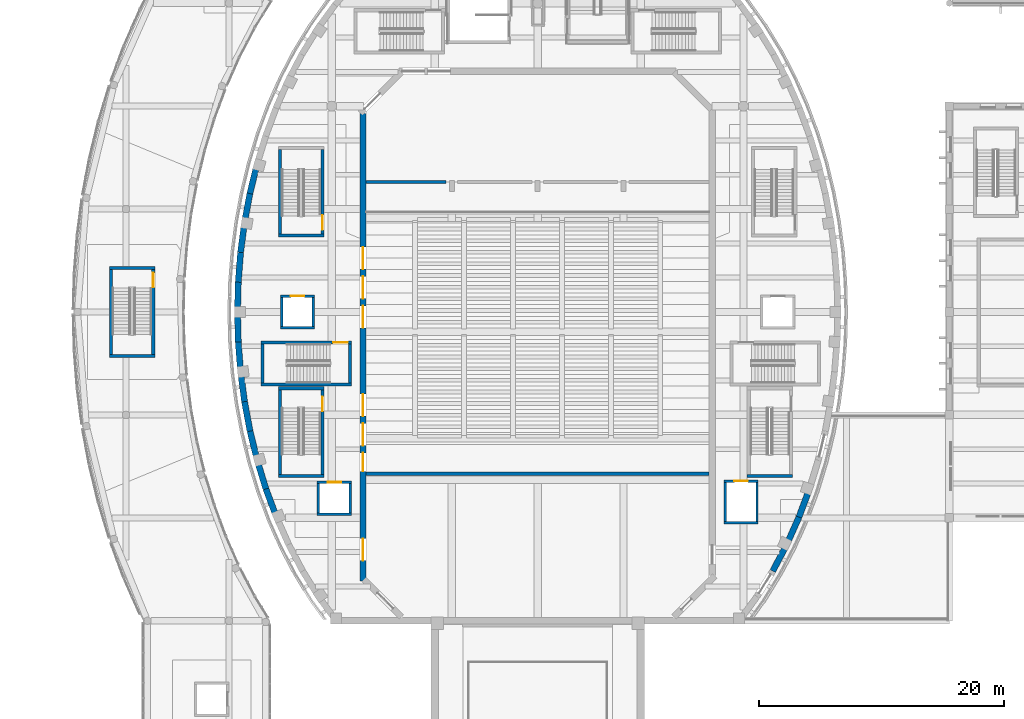
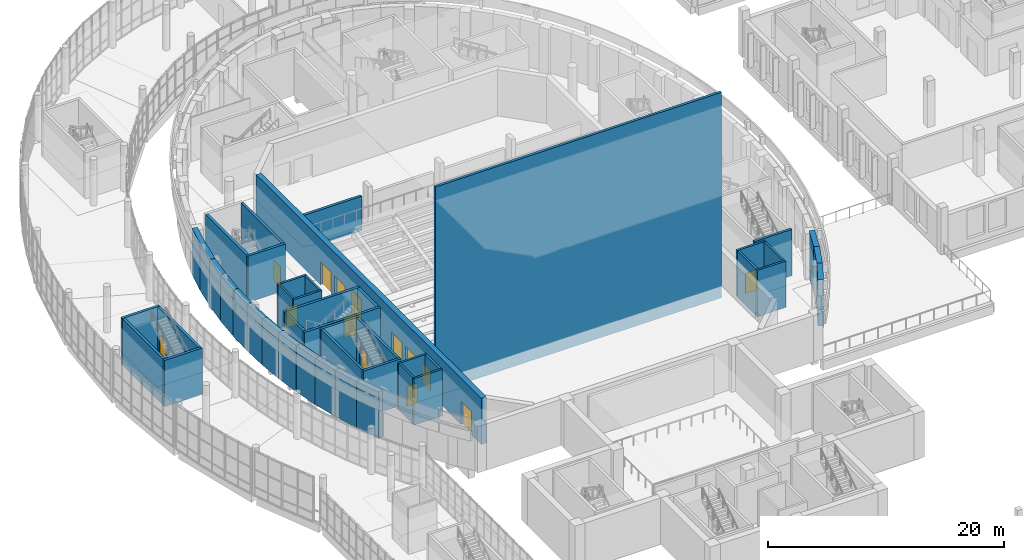
# One storey, part 66 of 119: 46 walls, 14 doors, 14 openings.
"""IFC4 building model written with IfcOpenShell, lengths in metres."""

from ifc_helpers import new_model, si_unit, direction, frame, frame_2d, origin, place, context, subcontext, project, spatial, rectangle, extrude, material, layer, layer_set, type_object, element, fill, save


model = new_model("IFC4")

# Units and contexts
model_context = context("Model", 3, precision=1e-05, world=origin(), true_north=direction((0.0, 1.0)))
body_context = subcontext(model_context, "Body", "Model", "MODEL_VIEW")
ifc_project = project(units=[si_unit("LENGTHUNIT", "METRE"), si_unit("AREAUNIT", "SQUARE_METRE"), si_unit("VOLUMEUNIT", "CUBIC_METRE"), si_unit("PLANEANGLEUNIT", "RADIAN"), si_unit("MASSUNIT", "GRAM", prefix="KILO")], contexts=[model_context])

# Site, building, storey
site_placement = place(None, origin())
site = spatial("IfcSite", under=ifc_project, at=site_placement, CompositionType="ELEMENT")
building_placement = place(site_placement, origin())
building = spatial("IfcBuilding", under=site, at=building_placement, Name="Larchfold Concert Hall", CompositionType="ELEMENT")
storey_placement = place(building_placement, frame((0.0, 0.0, 4.800048828125)))
storey = spatial("IfcBuildingStorey", under=building, at=storey_placement, Name="L01", CompositionType="ELEMENT", Elevation=4.800048828125)

# Walls
ifc_material_1 = material(Name="Plasterboard partition on steel studs", Category="steel")
ifc_layer_1 = layer(ifc_material_1, 0.25)
ifc_layer_set_1 = layer_set([ifc_layer_1], Name="Plasterboard partition on steel studs")
wall_type_1 = type_object("IfcWallType", Name="Hall acoustic double-leaf partition 250", PredefinedType="PARTITIONING", material=ifc_layer_set_1)
wall_1_placement = place(storey_placement, frame((28.60009765625, 71.39990234375, 0.0), z_axis=(0.0, 0.0, 1.0), x_axis=(1.0, 0.0, 0.0)))
element("IfcWall", 1, at=wall_1_placement, inside=storey, type_object=wall_type_1, Name="Partition IW0001", PredefinedType="PARTITIONING", context=body_context, shape_type="SweptSolid", body=[
    extrude(rectangle(XDim=28.0, YDim=0.25, at=frame_2d((14.0, 0.0))), origin(), (0.0, 0.0, 1.0), 21.25),
])
wall_2_placement = place(storey_placement, frame((28.60009765625, 95.199951171875, 0.0), z_axis=(0.0, 0.0, 1.0), x_axis=(1.0, 0.0, 0.0)))
element("IfcWall", 2, at=wall_2_placement, inside=storey, type_object=wall_type_1, Name="Partition IW0002", PredefinedType="PARTITIONING", context=body_context, shape_type="SweptSolid", body=[
    extrude(rectangle(XDim=6.530029296875, YDim=0.25, at=frame_2d((3.26513671875, 0.0))), origin(), (0.0, 0.0, 1.0), 3.579833984375),
])
ifc_material_2 = material(Name="Concrete C40/50", Category="concrete")
ifc_layer_2 = layer(ifc_material_2, 0.199951171875)
ifc_layer_set_2 = layer_set([ifc_layer_2], Name="Concrete C40/50")
wall_type_2 = type_object("IfcWallType", Name="Wall RC 200 lift shaft", PredefinedType="SOLIDWALL", material=ifc_layer_set_2)
wall_3_placement = place(storey_placement, frame((57.800048828125, 67.400146484375, 0.0), z_axis=(0.0, 0.0, 1.0), x_axis=(1.0, 0.0, 0.0)))
element("IfcWall", 3, at=wall_3_placement, inside=storey, type_object=wall_type_2, Name="Wall W0144", PredefinedType="SOLIDWALL", context=body_context, shape_type="SweptSolid", body=[
    extrude(rectangle(XDim=2.800048828125, YDim=0.199951171875, at=frame_2d((1.39990234375, 0.0))), origin(), (0.0, 0.0, 1.0), 4.800048828125),
])

# Wall, opening, door
wall_4_placement = place(storey_placement, frame((57.800048828125, 70.7998046875, 0.0), z_axis=(0.0, 0.0, 1.0), x_axis=(1.0, 0.0, 0.0)))
wall_4 = element("IfcWall", 4, at=wall_4_placement, inside=storey, type_object=wall_type_2, Name="Wall W0145", PredefinedType="SOLIDWALL", context=body_context, shape_type="SweptSolid", body=[
    extrude(rectangle(XDim=2.800048828125, YDim=0.199951171875, at=frame_2d((1.39990234375, 0.0))), origin(), (0.0, 0.0, 1.0), 4.800048828125),
])
opening_1_placement = place(wall_4_placement, frame((0.85009765625, 0.0, 0.0)))
opening_1 = element("IfcOpeningElement", 5, at=opening_1_placement, cuts=wall_4, Name="Opening LD-LF01", PredefinedType="OPENING", context=body_context, shape_type="SweptSolid", body=[
    extrude(rectangle(XDim=1.10009765625, YDim=2.10009765625, at=frame_2d((0.550048828125, 1.050048828125))), frame((0.0, 0.10986328125, 0.0), z_axis=(0.0, -1.0, 0.0), x_axis=(1.0, 0.0, 0.0)), (0.0, 0.0, 1.0), 0.219970703125),
])
ifc_material_3 = material(Name="Stainless steel sliding leaves", Category="steel")
door_type_1 = type_object("IfcDoorType", Name="Lift landing door sliding 1100 x 2100", OperationType="SLIDING_TO_LEFT", PredefinedType="DOOR", material=ifc_material_3)
door_1_placement = place(opening_1_placement, origin())
door_1 = element("IfcDoor", 6, at=door_1_placement, inside=storey, type_object=door_type_1, Name="Lift landing door LF01", OperationType="SLIDING_TO_LEFT", OverallHeight=2.10009765625, OverallWidth=1.10009765625, PredefinedType="DOOR", context=body_context, shape_type="SweptSolid", body=[
    extrude(rectangle(XDim=1.10009765625, YDim=2.10009765625, at=frame_2d((0.550048828125, 1.050048828125))), frame((0.0, 0.02490234375, 0.0), z_axis=(0.0, -1.0, 0.0), x_axis=(1.0, 0.0, 0.0)), (0.0, 0.0, 1.0), 0.050048828125),
])
fill(opening_1, door_1)

# Walls
for number, where, z_axis, x_axis, name in (
    (7, (57.900146484375, 67.5, 0.0), (0.0, 0.0, 1.0), (0.0, 1.0, 0.0), "Wall W0146"),
    (8, (60.5, 67.5, 0.0), (0.0, 0.0, 1.0), (0.0, 1.0, 0.0), "Wall W0147"),
):
    element("IfcWall", number, at=place(storey_placement, frame(where, z_axis=z_axis, x_axis=x_axis)), inside=storey, type_object=wall_type_2, Name=name, PredefinedType="SOLIDWALL", context=body_context, shape_type="SweptSolid", body=[
        extrude(rectangle(XDim=3.199951171875, YDim=0.199951171875, at=frame_2d((1.60009765625, 0.0))), origin(), (0.0, 0.0, 1.0), 4.800048828125),
    ])
wall_5_placement = place(storey_placement, frame((24.60009765625, 68.10009765625, 0.0), z_axis=(0.0, 0.0, 1.0), x_axis=(1.0, 0.0, 0.0)))
element("IfcWall", 9, at=wall_5_placement, inside=storey, type_object=wall_type_2, Name="Wall W0148", PredefinedType="SOLIDWALL", context=body_context, shape_type="SweptSolid", body=[
    extrude(rectangle(XDim=2.7998046875, YDim=0.199951171875, at=frame_2d((1.39990234375, 0.0))), origin(), (0.0, 0.0, 1.0), 4.800048828125),
])

# Wall, opening, door
wall_6_placement = place(storey_placement, frame((24.60009765625, 70.699951171875, 0.0), z_axis=(0.0, 0.0, 1.0), x_axis=(1.0, 0.0, 0.0)))
wall_6 = element("IfcWall", 10, at=wall_6_placement, inside=storey, type_object=wall_type_2, Name="Wall W0149", PredefinedType="SOLIDWALL", context=body_context, shape_type="SweptSolid", body=[
    extrude(rectangle(XDim=2.7998046875, YDim=0.199951171875, at=frame_2d((1.39990234375, 0.0))), origin(), (0.0, 0.0, 1.0), 4.800048828125),
])
opening_2_placement = place(wall_6_placement, frame((0.849853515625, 0.0, 0.0)))
opening_2 = element("IfcOpeningElement", 11, at=opening_2_placement, cuts=wall_6, Name="Opening LD-LF02", PredefinedType="OPENING", context=body_context, shape_type="SweptSolid", body=[
    extrude(rectangle(XDim=1.10009765625, YDim=2.10009765625, at=frame_2d((0.550048828125, 1.050048828125))), frame((0.0, 0.10986328125, 0.0), z_axis=(0.0, -1.0, 0.0), x_axis=(1.0, 0.0, 0.0)), (0.0, 0.0, 1.0), 0.219970703125),
])
door_2_placement = place(opening_2_placement, origin())
door_2 = element("IfcDoor", 12, at=door_2_placement, inside=storey, type_object=door_type_1, Name="Lift landing door LF02", OperationType="SLIDING_TO_LEFT", OverallHeight=2.10009765625, OverallWidth=1.10009765625, PredefinedType="DOOR", context=body_context, shape_type="SweptSolid", body=[
    extrude(rectangle(XDim=1.10009765625, YDim=2.10009765625, at=frame_2d((0.550048828125, 1.050048828125))), frame((0.0, 0.02490234375, 0.0), z_axis=(0.0, -1.0, 0.0), x_axis=(1.0, 0.0, 0.0)), (0.0, 0.0, 1.0), 0.050048828125),
])
fill(opening_2, door_2)

# Walls
for number, where, z_axis, x_axis, name in (
    (13, (24.7001953125, 68.199951171875, 0.0), (0.0, 0.0, 1.0), (0.0, 1.0, 0.0), "Wall W0150"),
    (14, (27.2998046875, 68.199951171875, 0.0), (0.0, 0.0, 1.0), (0.0, 1.0, 0.0), "Wall W0151"),
):
    element("IfcWall", number, at=place(storey_placement, frame(where, z_axis=z_axis, x_axis=x_axis)), inside=storey, type_object=wall_type_2, Name=name, PredefinedType="SOLIDWALL", context=body_context, shape_type="SweptSolid", body=[
        extrude(rectangle(XDim=2.400146484375, YDim=0.199951171875, at=frame_2d((1.2001953125, 0.0))), origin(), (0.0, 0.0, 1.0), 4.800048828125),
    ])
wall_7_placement = place(storey_placement, frame((21.60009765625, 83.300048828125, 0.0), z_axis=(0.0, 0.0, 1.0), x_axis=(1.0, 0.0, 0.0)))
element("IfcWall", 15, at=wall_7_placement, inside=storey, type_object=wall_type_2, Name="Wall W0156", PredefinedType="SOLIDWALL", context=body_context, shape_type="SweptSolid", body=[
    extrude(rectangle(XDim=2.7998046875, YDim=0.199951171875, at=frame_2d((1.39990234375, 0.0))), origin(), (0.0, 0.0, 1.0), 4.800048828125),
])

# Wall, opening, door
wall_8_placement = place(storey_placement, frame((21.60009765625, 85.89990234375, 0.0), z_axis=(0.0, 0.0, 1.0), x_axis=(1.0, 0.0, 0.0)))
wall_8 = element("IfcWall", 16, at=wall_8_placement, inside=storey, type_object=wall_type_2, Name="Wall W0157", PredefinedType="SOLIDWALL", context=body_context, shape_type="SweptSolid", body=[
    extrude(rectangle(XDim=2.7998046875, YDim=0.199951171875, at=frame_2d((1.39990234375, 0.0))), origin(), (0.0, 0.0, 1.0), 4.800048828125),
])
opening_3_placement = place(wall_8_placement, frame((0.849853515625, 0.0, 0.0)))
opening_3 = element("IfcOpeningElement", 17, at=opening_3_placement, cuts=wall_8, Name="Opening LD-LF04", PredefinedType="OPENING", context=body_context, shape_type="SweptSolid", body=[
    extrude(rectangle(XDim=1.10009765625, YDim=2.10009765625, at=frame_2d((0.550048828125, 1.050048828125))), frame((0.0, 0.10986328125, 0.0), z_axis=(0.0, -1.0, 0.0), x_axis=(1.0, 0.0, 0.0)), (0.0, 0.0, 1.0), 0.219970703125),
])
door_3_placement = place(opening_3_placement, origin())
door_3 = element("IfcDoor", 18, at=door_3_placement, inside=storey, type_object=door_type_1, Name="Lift landing door LF04", OperationType="SLIDING_TO_LEFT", OverallHeight=2.10009765625, OverallWidth=1.10009765625, PredefinedType="DOOR", context=body_context, shape_type="SweptSolid", body=[
    extrude(rectangle(XDim=1.10009765625, YDim=2.10009765625, at=frame_2d((0.550048828125, 1.050048828125))), frame((0.0, 0.02490234375, 0.0), z_axis=(0.0, -1.0, 0.0), x_axis=(1.0, 0.0, 0.0)), (0.0, 0.0, 1.0), 0.050048828125),
])
fill(opening_3, door_3)

# Walls
for number, where, z_axis, x_axis, name in (
    (19, (21.7001953125, 83.39990234375, 0.0), (0.0, 0.0, 1.0), (0.0, 1.0, 0.0), "Wall W0158"),
    (20, (24.2998046875, 83.39990234375, 0.0), (0.0, 0.0, 1.0), (0.0, 1.0, 0.0), "Wall W0159"),
):
    element("IfcWall", number, at=place(storey_placement, frame(where, z_axis=z_axis, x_axis=x_axis)), inside=storey, type_object=wall_type_2, Name=name, PredefinedType="SOLIDWALL", context=body_context, shape_type="SweptSolid", body=[
        extrude(rectangle(XDim=2.400146484375, YDim=0.199951171875, at=frame_2d((1.2001953125, 0.0))), origin(), (0.0, 0.0, 1.0), 4.800048828125),
    ])
ifc_material_4 = material(Name="Concrete C40/50", Category="concrete")
ifc_layer_3 = layer(ifc_material_4, 0.25)
ifc_layer_set_3 = layer_set([ifc_layer_3], Name="Concrete C40/50")
wall_type_3 = type_object("IfcWallType", Name="Wall RC 250 stair core", PredefinedType="SOLIDWALL", material=ifc_layer_set_3)
wall_9_placement = place(storey_placement, frame((21.449951171875, 90.824951171875, 0.0), z_axis=(0.0, 0.0, 1.0), x_axis=(1.0, 0.0, 0.0)))
element("IfcWall", 21, at=wall_9_placement, inside=storey, type_object=wall_type_3, Name="Wall W0044", PredefinedType="SOLIDWALL", context=body_context, shape_type="SweptSolid", body=[
    extrude(rectangle(XDim=3.699951171875, YDim=0.25, at=frame_2d((1.85009765625, 0.0))), origin(), (0.0, 0.0, 1.0), 4.800048828125),
])
wall_10_placement = place(storey_placement, frame((21.574951171875, 90.949951171875, 0.0), z_axis=(0.0, 0.0, 1.0), x_axis=(0.0, 1.0, 0.0)))
element("IfcWall", 22, at=wall_10_placement, inside=storey, type_object=wall_type_3, Name="Wall W0046", PredefinedType="SOLIDWALL", context=body_context, shape_type="SweptSolid", body=[
    extrude(rectangle(XDim=6.900146484375, YDim=0.25, at=frame_2d((3.4501953125, 0.0))), origin(), (0.0, 0.0, 1.0), 4.800048828125),
])

# Wall, opening, door
wall_11_placement = place(storey_placement, frame((25.02490234375, 90.949951171875, 0.0), z_axis=(0.0, 0.0, 1.0), x_axis=(0.0, 1.0, 0.0)))
wall_11 = element("IfcWall", 23, at=wall_11_placement, inside=storey, type_object=wall_type_3, Name="Wall W0047", PredefinedType="SOLIDWALL", context=body_context, shape_type="SweptSolid", body=[
    extrude(rectangle(XDim=6.900146484375, YDim=0.25, at=frame_2d((3.4501953125, 0.0))), origin(), (0.0, 0.0, 1.0), 4.800048828125),
])
opening_4_placement = place(wall_11_placement, frame((0.35009765625, 0.0, 0.0)))
opening_4 = element("IfcOpeningElement", 24, at=opening_4_placement, cuts=wall_11, Name="Opening D-L01-163", PredefinedType="OPENING", context=body_context, shape_type="SweptSolid", body=[
    extrude(rectangle(XDim=1.199951171875, YDim=2.10009765625, at=frame_2d((0.60009765625, 1.050048828125))), frame((0.0, 0.135009765625, 0.0), z_axis=(0.0, -1.0, 0.0), x_axis=(1.0, 0.0, 0.0)), (0.0, 0.0, 1.0), 0.27001953125),
])
ifc_material_5 = material(Name="Timber door leaf", Category="wood")
door_type_2 = type_object("IfcDoorType", Name="Stair enclosure door pair 1200 x 2100 FD60", OperationType="SINGLE_SWING_LEFT", PredefinedType="DOOR", material=ifc_material_5)
door_4_placement = place(opening_4_placement, origin())
door_4 = element("IfcDoor", 25, at=door_4_placement, inside=storey, type_object=door_type_2, Name="Door D-L01-163", OperationType="DOUBLE_DOOR_SINGLE_SWING", OverallHeight=2.10009765625, OverallWidth=1.199951171875, PredefinedType="DOOR", context=body_context, shape_type="SweptSolid", body=[
    extrude(rectangle(XDim=1.199951171875, YDim=2.10009765625, at=frame_2d((0.60009765625, 1.050048828125))), frame((0.0, 0.02490234375, 0.0), z_axis=(0.0, -1.0, 0.0), x_axis=(1.0, 0.0, 0.0)), (0.0, 0.0, 1.0), 0.050048828125),
])
fill(opening_4, door_4)

# Walls
for number, where, z_axis, x_axis, name in (
    (26, (21.449951171875, 71.22509765625, 0.0), (0.0, 0.0, 1.0), (1.0, 0.0, 0.0), "Wall W0048"),
    (27, (21.449951171875, 78.375, 0.0), (0.0, 0.0, 1.0), (1.0, 0.0, 0.0), "Wall W0049"),
):
    element("IfcWall", number, at=place(storey_placement, frame(where, z_axis=z_axis, x_axis=x_axis)), inside=storey, type_object=wall_type_3, Name=name, PredefinedType="SOLIDWALL", context=body_context, shape_type="SweptSolid", body=[
        extrude(rectangle(XDim=3.699951171875, YDim=0.25, at=frame_2d((1.85009765625, 0.0))), origin(), (0.0, 0.0, 1.0), 4.800048828125),
    ])
wall_12_placement = place(storey_placement, frame((21.574951171875, 71.35009765625, 0.0), z_axis=(0.0, 0.0, 1.0), x_axis=(0.0, 1.0, 0.0)))
element("IfcWall", 28, at=wall_12_placement, inside=storey, type_object=wall_type_3, Name="Wall W0050", PredefinedType="SOLIDWALL", context=body_context, shape_type="SweptSolid", body=[
    extrude(rectangle(XDim=6.89990234375, YDim=0.25, at=frame_2d((3.449951171875, 0.0))), origin(), (0.0, 0.0, 1.0), 4.800048828125),
])

# Wall, opening, door
wall_13_placement = place(storey_placement, frame((25.02490234375, 71.35009765625, 0.0), z_axis=(0.0, 0.0, 1.0), x_axis=(0.0, 1.0, 0.0)))
wall_13 = element("IfcWall", 29, at=wall_13_placement, inside=storey, type_object=wall_type_3, Name="Wall W0051", PredefinedType="SOLIDWALL", context=body_context, shape_type="SweptSolid", body=[
    extrude(rectangle(XDim=6.89990234375, YDim=0.25, at=frame_2d((3.449951171875, 0.0))), origin(), (0.0, 0.0, 1.0), 4.800048828125),
])
opening_5_placement = place(wall_13_placement, frame((5.14990234375, 0.0, 0.0)))
opening_5 = element("IfcOpeningElement", 30, at=opening_5_placement, cuts=wall_13, Name="Opening D-L01-159", PredefinedType="OPENING", context=body_context, shape_type="SweptSolid", body=[
    extrude(rectangle(XDim=1.199951171875, YDim=2.10009765625, at=frame_2d((0.60009765625, 1.050048828125))), frame((0.0, 0.135009765625, 0.0), z_axis=(0.0, -1.0, 0.0), x_axis=(1.0, 0.0, 0.0)), (0.0, 0.0, 1.0), 0.27001953125),
])
door_5_placement = place(opening_5_placement, origin())
door_5 = element("IfcDoor", 31, at=door_5_placement, inside=storey, type_object=door_type_2, Name="Door D-L01-159", OperationType="DOUBLE_DOOR_SINGLE_SWING", OverallHeight=2.10009765625, OverallWidth=1.199951171875, PredefinedType="DOOR", context=body_context, shape_type="SweptSolid", body=[
    extrude(rectangle(XDim=1.199951171875, YDim=2.10009765625, at=frame_2d((0.60009765625, 1.050048828125))), frame((0.0, 0.02490234375, 0.0), z_axis=(0.0, -1.0, 0.0), x_axis=(1.0, 0.0, 0.0)), (0.0, 0.0, 1.0), 0.050048828125),
])
fill(opening_5, door_5)

# Walls
wall_14_placement = place(storey_placement, frame((59.699951171875, 71.22509765625, 0.0), z_axis=(0.0, 0.0, 1.0), x_axis=(1.0, 0.0, 0.0)))
element("IfcWall", 32, at=wall_14_placement, inside=storey, type_object=wall_type_3, Name="Wall W0052", PredefinedType="SOLIDWALL", context=body_context, shape_type="SweptSolid", body=[
    extrude(rectangle(XDim=3.699951171875, YDim=0.25, at=frame_2d((1.85009765625, 0.0))), origin(), (0.0, 0.0, 1.0), 4.800048828125),
])
wall_15_placement = place(storey_placement, frame((20.0, 78.675048828125, 0.0), z_axis=(0.0, 0.0, 1.0), x_axis=(1.0, 0.0, 0.0)))
element("IfcWall", 33, at=wall_15_placement, inside=storey, type_object=wall_type_3, Name="Wall W0056", PredefinedType="SOLIDWALL", context=body_context, shape_type="SweptSolid", body=[
    extrude(rectangle(XDim=7.39990234375, YDim=0.25, at=frame_2d((3.699951171875, 0.0))), origin(), (0.0, 0.0, 1.0), 4.800048828125),
])

# Wall, opening, door
wall_16_placement = place(storey_placement, frame((20.0, 82.125, 0.0), z_axis=(0.0, 0.0, 1.0), x_axis=(1.0, 0.0, 0.0)))
wall_16 = element("IfcWall", 34, at=wall_16_placement, inside=storey, type_object=wall_type_3, Name="Wall W0057", PredefinedType="SOLIDWALL", context=body_context, shape_type="SweptSolid", body=[
    extrude(rectangle(XDim=7.39990234375, YDim=0.25, at=frame_2d((3.699951171875, 0.0))), origin(), (0.0, 0.0, 1.0), 4.800048828125),
])
opening_6_placement = place(wall_16_placement, frame((5.89990234375, 0.0, 0.0)))
opening_6 = element("IfcOpeningElement", 35, at=opening_6_placement, cuts=wall_16, Name="Opening D-L01-161", PredefinedType="OPENING", context=body_context, shape_type="SweptSolid", body=[
    extrude(rectangle(XDim=1.199951171875, YDim=2.10009765625, at=frame_2d((0.60009765625, 1.050048828125))), frame((0.0, 0.135009765625, 0.0), z_axis=(0.0, -1.0, 0.0), x_axis=(1.0, 0.0, 0.0)), (0.0, 0.0, 1.0), 0.27001953125),
])
door_6_placement = place(opening_6_placement, origin())
door_6 = element("IfcDoor", 36, at=door_6_placement, inside=storey, type_object=door_type_2, Name="Door D-L01-161", OperationType="DOUBLE_DOOR_SINGLE_SWING", OverallHeight=2.10009765625, OverallWidth=1.199951171875, PredefinedType="DOOR", context=body_context, shape_type="SweptSolid", body=[
    extrude(rectangle(XDim=1.199951171875, YDim=2.10009765625, at=frame_2d((0.60009765625, 1.050048828125))), frame((0.0, 0.02490234375, 0.0), z_axis=(0.0, -1.0, 0.0), x_axis=(1.0, 0.0, 0.0)), (0.0, 0.0, 1.0), 0.050048828125),
])
fill(opening_6, door_6)

# Walls
for number, where, z_axis, x_axis, name in (
    (37, (20.125, 78.800048828125, 0.0), (0.0, 0.0, 1.0), (0.0, 1.0, 0.0), "Wall W0058"),
    (38, (27.27490234375, 78.800048828125, 0.0), (0.0, 0.0, 1.0), (0.0, 1.0, 0.0), "Wall W0059"),
):
    element("IfcWall", number, at=place(storey_placement, frame(where, z_axis=z_axis, x_axis=x_axis)), inside=storey, type_object=wall_type_3, Name=name, PredefinedType="SOLIDWALL", context=body_context, shape_type="SweptSolid", body=[
        extrude(rectangle(XDim=3.199951171875, YDim=0.25, at=frame_2d((1.60009765625, 0.0))), origin(), (0.0, 0.0, 1.0), 4.800048828125),
    ])
for number, where, z_axis, x_axis, name in (
    (39, (7.64990234375, 81.02490234375, 0.0), (0.0, 0.0, 1.0), (1.0, 0.0, 0.0), "Wall W0124"),
    (40, (7.64990234375, 88.175048828125, 0.0), (0.0, 0.0, 1.0), (1.0, 0.0, 0.0), "Wall W0125"),
):
    element("IfcWall", number, at=place(storey_placement, frame(where, z_axis=z_axis, x_axis=x_axis)), inside=storey, type_object=wall_type_3, Name=name, PredefinedType="SOLIDWALL", context=body_context, shape_type="SweptSolid", body=[
        extrude(rectangle(XDim=3.7001953125, YDim=0.25, at=frame_2d((1.85009765625, 0.0))), origin(), (0.0, 0.0, 1.0), 4.800048828125),
    ])
wall_17_placement = place(storey_placement, frame((7.77490234375, 81.14990234375, 0.0), z_axis=(0.0, 0.0, 1.0), x_axis=(0.0, 1.0, 0.0)))
element("IfcWall", 41, at=wall_17_placement, inside=storey, type_object=wall_type_3, Name="Wall W0126", PredefinedType="SOLIDWALL", context=body_context, shape_type="SweptSolid", body=[
    extrude(rectangle(XDim=6.900146484375, YDim=0.25, at=frame_2d((3.4501953125, 0.0))), origin(), (0.0, 0.0, 1.0), 4.800048828125),
])

# Wall, opening, door
wall_18_placement = place(storey_placement, frame((11.22509765625, 81.14990234375, 0.0), z_axis=(0.0, 0.0, 1.0), x_axis=(0.0, 1.0, 0.0)))
wall_18 = element("IfcWall", 42, at=wall_18_placement, inside=storey, type_object=wall_type_3, Name="Wall W0127", PredefinedType="SOLIDWALL", context=body_context, shape_type="SweptSolid", body=[
    extrude(rectangle(XDim=6.900146484375, YDim=0.25, at=frame_2d((3.4501953125, 0.0))), origin(), (0.0, 0.0, 1.0), 4.800048828125),
])
opening_7_placement = place(wall_18_placement, frame((5.449951171875, 0.0, 0.0)))
opening_7 = element("IfcOpeningElement", 43, at=opening_7_placement, cuts=wall_18, Name="Opening D-L01-184", PredefinedType="OPENING", context=body_context, shape_type="SweptSolid", body=[
    extrude(rectangle(XDim=1.199951171875, YDim=2.10009765625, at=frame_2d((0.60009765625, 1.050048828125))), frame((0.0, 0.135009765625, 0.0), z_axis=(0.0, -1.0, 0.0), x_axis=(1.0, 0.0, 0.0)), (0.0, 0.0, 1.0), 0.27001953125),
])
door_7_placement = place(opening_7_placement, origin())
door_7 = element("IfcDoor", 44, at=door_7_placement, inside=storey, type_object=door_type_2, Name="Door D-L01-184", OperationType="DOUBLE_DOOR_SINGLE_SWING", OverallHeight=2.10009765625, OverallWidth=1.199951171875, PredefinedType="DOOR", context=body_context, shape_type="SweptSolid", body=[
    extrude(rectangle(XDim=1.199951171875, YDim=2.10009765625, at=frame_2d((0.60009765625, 1.050048828125))), frame((0.0, 0.02490234375, 0.0), z_axis=(0.0, -1.0, 0.0), x_axis=(1.0, 0.0, 0.0)), (0.0, 0.0, 1.0), 0.050048828125),
])
fill(opening_7, door_7)

# Walls
ifc_material_6 = material(Name="Concrete C30/37", Category="concrete")
ifc_layer_4 = layer(ifc_material_6, 0.5)
ifc_layer_set_4 = layer_set([ifc_layer_4], Name="Concrete C30/37")
wall_type_4 = type_object("IfcWallType", Name="Wall RC 500 drum facade", PredefinedType="SOLIDWALL", material=ifc_layer_set_4)
for number, where, z_axis, x_axis, name in (
    (45, (19.685302734375, 96.63134765625, 0.0), (0.0, 0.0, 1.0), (-0.235921551206, -0.971772103776, 0.0), "Wall DW034"),
    (46, (19.111083984375, 94.26611328125, 0.0), (0.0, 0.0, 1.0), (-0.182362243365, -0.983231413348, 0.0), "Wall DW035"),
    (47, (18.667236328125, 91.873046875, 0.0), (0.0, 0.0, 1.0), (-0.129699392582, -0.991553360926, 0.0), "Wall DW036"),
    (48, (18.3515625, 89.459716796875, 0.0), (0.0, 0.0, 1.0), (-0.077540262419, -0.996989221458, 0.0), "Wall DW037"),
    (49, (18.162841796875, 87.033203125, 0.0), (0.0, 0.0, 1.0), (-0.025779107921, -0.999667663574, 0.0), "Wall DW038"),
):
    element("IfcWall", number, at=place(storey_placement, frame(where, z_axis=z_axis, x_axis=x_axis)), inside=storey, type_object=wall_type_4, Name=name, PredefinedType="SOLIDWALL", context=body_context, shape_type="SweptSolid", body=[
        extrude(rectangle(XDim=2.433837890625, YDim=0.5, at=frame_2d((1.216796875, 0.0))), origin(), (0.0, 0.0, 1.0), 4.800048828125),
    ])
wall_19_placement = place(storey_placement, frame((18.10009765625, 84.60009765625, 0.0), z_axis=(0.0, 0.0, 1.0), x_axis=(0.02591869307, -0.999664054245, 0.0)))
element("IfcWall", 50, at=wall_19_placement, inside=storey, type_object=wall_type_4, Name="Wall DW039", PredefinedType="SOLIDWALL", context=body_context, shape_type="SweptSolid", body=[
    extrude(rectangle(XDim=2.448974609375, YDim=0.5, at=frame_2d((1.224609375, 0.0))), origin(), (0.0, 0.0, 1.0), 4.800048828125),
])
wall_20_placement = place(storey_placement, frame((18.16357421875, 82.15185546875, 0.0), z_axis=(0.0, 0.0, 1.0), x_axis=(0.078053315948, -0.996949186202, 0.0)))
element("IfcWall", 51, at=wall_20_placement, inside=storey, type_object=wall_type_4, Name="Wall DW040", PredefinedType="SOLIDWALL", context=body_context, shape_type="SweptSolid", body=[
    extrude(rectangle(XDim=2.44921875, YDim=0.5, at=frame_2d((1.224609375, 0.0))), origin(), (0.0, 0.0, 1.0), 4.800048828125),
])
for number, where, z_axis, x_axis, name in (
    (52, (18.354736328125, 79.710205078125, 0.0), (0.0, 0.0, 1.0), (0.130498353005, -0.991448526078, 0.0), "Wall DW041"),
    (53, (18.67431640625, 77.2822265625, 0.0), (0.0, 0.0, 1.0), (0.183524085598, -0.983015213517, 0.0), "Wall DW042"),
    (54, (19.123779296875, 74.874755859375, 0.0), (0.0, 0.0, 1.0), (0.237465633216, -0.971395940408, 0.0), "Wall DW043"),
    (55, (19.705322265625, 72.495849609375, 0.0), (0.0, 0.0, 1.0), (0.29250219685, -0.95626485078, 0.0), "Wall DW044"),
    (56, (20.421630859375, 70.154052734375, 0.0), (0.0, 0.0, 1.0), (0.348817204426, -0.937190779882, 0.0), "Wall DW045"),
    (57, (61.785888671875, 63.45556640625, 0.0), (0.0, 0.0, 1.0), (0.466448872517, 0.884548161112, 0.0), "Wall DW053"),
):
    element("IfcWall", number, at=place(storey_placement, frame(where, z_axis=z_axis, x_axis=x_axis)), inside=storey, type_object=wall_type_4, Name=name, PredefinedType="SOLIDWALL", context=body_context, shape_type="SweptSolid", body=[
        extrude(rectangle(XDim=2.448974609375, YDim=0.5, at=frame_2d((1.224609375, 0.0))), origin(), (0.0, 0.0, 1.0), 4.800048828125),
    ])
wall_21_placement = place(storey_placement, frame((62.92822265625, 65.621826171875, 0.0), z_axis=(0.0, 0.0, 1.0), x_axis=(0.406767391574, 0.913531766909, 0.0)))
element("IfcWall", 58, at=wall_21_placement, inside=storey, type_object=wall_type_4, Name="Wall DW054", PredefinedType="SOLIDWALL", context=body_context, shape_type="SweptSolid", body=[
    extrude(rectangle(XDim=2.44873046875, YDim=0.5, at=frame_2d((1.224365234375, 0.0))), origin(), (0.0, 0.0, 1.0), 4.800048828125),
])
wall_22_placement = place(storey_placement, frame((63.92431640625, 67.85888671875, 0.0), z_axis=(0.0, 0.0, 1.0), x_axis=(0.348817204426, 0.937190779882, 0.0)))
element("IfcWall", 59, at=wall_22_placement, inside=storey, type_object=wall_type_4, Name="Wall DW055", PredefinedType="SOLIDWALL", context=body_context, shape_type="SweptSolid", body=[
    extrude(rectangle(XDim=2.448974609375, YDim=0.5, at=frame_2d((1.224609375, 0.0))), origin(), (0.0, 0.0, 1.0), 4.800048828125),
])

# Wall, openings, doors
ifc_material_7 = material(Name="Concrete C40/50", Category="concrete")
ifc_layer_5 = layer(ifc_material_7, 0.5)
ifc_layer_set_5 = layer_set([ifc_layer_5], Name="Concrete C40/50")
wall_type_5 = type_object("IfcWallType", Name="Wall RC 500 hall shell", PredefinedType="SOLIDWALL", material=ifc_layer_set_5)
wall_23_placement = place(storey_placement, frame((28.35009765625, 100.800048828125, 0.0), z_axis=(0.0, 0.0, 1.0), x_axis=(0.0, -1.0, 0.0)))
wall_23 = element("IfcWall", 60, at=wall_23_placement, inside=storey, type_object=wall_type_5, Name="Wall W0006", PredefinedType="SOLIDWALL", context=body_context, shape_type="SweptSolid", body=[
    extrude(rectangle(XDim=38.1513671875, YDim=0.5, at=frame_2d((19.07568359375, 0.0))), origin(), (0.0, 0.0, 1.0), 4.800048828125),
])
opening_8_placement = place(wall_23_placement, frame((34.69287109375, 0.0, 0.0)))
opening_8 = element("IfcOpeningElement", 61, at=opening_8_placement, cuts=wall_23, Name="Opening D-L01-101", PredefinedType="OPENING", context=body_context, shape_type="SweptSolid", body=[
    extrude(rectangle(XDim=1.800048828125, YDim=2.39990234375, at=frame_2d((0.89990234375, 1.199951171875))), frame((0.0, 0.260009765625, 0.0), z_axis=(0.0, -1.0, 0.0), x_axis=(1.0, 0.0, 0.0)), (0.0, 0.0, 1.0), 0.52001953125),
])
opening_9_placement = place(wall_23_placement, frame((27.7001953125, 0.0, 0.0)))
opening_9 = element("IfcOpeningElement", 62, at=opening_9_placement, cuts=wall_23, Name="Opening D-L01-104", PredefinedType="OPENING", context=body_context, shape_type="SweptSolid", body=[
    extrude(rectangle(XDim=1.5, YDim=2.10009765625, at=frame_2d((0.75, 1.050048828125))), frame((0.0, 0.260009765625, 0.0), z_axis=(0.0, -1.0, 0.0), x_axis=(1.0, 0.0, 0.0)), (0.0, 0.0, 1.0), 0.52001953125),
])
opening_10_placement = place(wall_23_placement, frame((25.300048828125, 0.0, 0.0)))
opening_10 = element("IfcOpeningElement", 63, at=opening_10_placement, cuts=wall_23, Name="Opening D-L01-105", PredefinedType="OPENING", context=body_context, shape_type="SweptSolid", body=[
    extrude(rectangle(XDim=1.800048828125, YDim=2.39990234375, at=frame_2d((0.89990234375, 1.199951171875))), frame((0.0, 0.260009765625, 0.0), z_axis=(0.0, -1.0, 0.0), x_axis=(1.0, 0.0, 0.0)), (0.0, 0.0, 1.0), 0.52001953125),
])
opening_11_placement = place(wall_23_placement, frame((22.900146484375, 0.0, 0.0)))
opening_11 = element("IfcOpeningElement", 64, at=opening_11_placement, cuts=wall_23, Name="Opening D-L01-106", PredefinedType="OPENING", context=body_context, shape_type="SweptSolid", body=[
    extrude(rectangle(XDim=1.800048828125, YDim=2.39990234375, at=frame_2d((0.89990234375, 1.199951171875))), frame((0.0, 0.260009765625, 0.0), z_axis=(0.0, -1.0, 0.0), x_axis=(1.0, 0.0, 0.0)), (0.0, 0.0, 1.0), 0.52001953125),
])
opening_12_placement = place(wall_23_placement, frame((15.7001953125, 0.0, 0.0)))
opening_12 = element("IfcOpeningElement", 65, at=opening_12_placement, cuts=wall_23, Name="Opening D-L01-107", PredefinedType="OPENING", context=body_context, shape_type="SweptSolid", body=[
    extrude(rectangle(XDim=1.800048828125, YDim=2.39990234375, at=frame_2d((0.89990234375, 1.199951171875))), frame((0.0, 0.260009765625, 0.0), z_axis=(0.0, -1.0, 0.0), x_axis=(1.0, 0.0, 0.0)), (0.0, 0.0, 1.0), 0.52001953125),
])
opening_13_placement = place(wall_23_placement, frame((13.300048828125, 0.0, 0.0)))
opening_13 = element("IfcOpeningElement", 66, at=opening_13_placement, cuts=wall_23, Name="Opening D-L01-108", PredefinedType="OPENING", context=body_context, shape_type="SweptSolid", body=[
    extrude(rectangle(XDim=1.800048828125, YDim=2.39990234375, at=frame_2d((0.89990234375, 1.199951171875))), frame((0.0, 0.260009765625, 0.0), z_axis=(0.0, -1.0, 0.0), x_axis=(1.0, 0.0, 0.0)), (0.0, 0.0, 1.0), 0.52001953125),
])
opening_14_placement = place(wall_23_placement, frame((10.900146484375, 0.0, 0.0)))
opening_14 = element("IfcOpeningElement", 67, at=opening_14_placement, cuts=wall_23, Name="Opening D-L01-109", PredefinedType="OPENING", context=body_context, shape_type="SweptSolid", body=[
    extrude(rectangle(XDim=1.800048828125, YDim=2.39990234375, at=frame_2d((0.89990234375, 1.199951171875))), frame((0.0, 0.260009765625, 0.0), z_axis=(0.0, -1.0, 0.0), x_axis=(1.0, 0.0, 0.0)), (0.0, 0.0, 1.0), 0.52001953125),
])
ifc_material_8 = material(Name="Timber door leaf", Category="wood")
door_type_3 = type_object("IfcDoorType", Name="Hall vomitory door pair, acoustic 1500 x 2100 FD60", OperationType="SINGLE_SWING_LEFT", PredefinedType="DOOR", material=ifc_material_8)
door_8_placement = place(opening_9_placement, origin())
door_8 = element("IfcDoor", 68, at=door_8_placement, inside=storey, type_object=door_type_3, Name="Door D-L01-104", OperationType="DOUBLE_DOOR_SINGLE_SWING", OverallHeight=2.10009765625, OverallWidth=1.5, PredefinedType="DOOR", context=body_context, shape_type="SweptSolid", body=[
    extrude(rectangle(XDim=1.5, YDim=2.10009765625, at=frame_2d((0.75, 1.050048828125))), frame((0.0, 0.02490234375, 0.0), z_axis=(0.0, -1.0, 0.0), x_axis=(1.0, 0.0, 0.0)), (0.0, 0.0, 1.0), 0.050048828125),
])
fill(opening_9, door_8)
ifc_material_9 = material(Name="Timber door leaf", Category="wood")
door_type_4 = type_object("IfcDoorType", Name="Hall vomitory door pair, acoustic 1800 x 2400 FD60", OperationType="SINGLE_SWING_LEFT", PredefinedType="DOOR", material=ifc_material_9)
door_9_placement = place(opening_8_placement, origin())
door_9 = element("IfcDoor", 69, at=door_9_placement, inside=storey, type_object=door_type_4, Name="Door D-L01-101", OperationType="DOUBLE_DOOR_SINGLE_SWING", OverallHeight=2.39990234375, OverallWidth=1.800048828125, PredefinedType="DOOR", context=body_context, shape_type="SweptSolid", body=[
    extrude(rectangle(XDim=1.800048828125, YDim=2.39990234375, at=frame_2d((0.89990234375, 1.199951171875))), frame((0.0, 0.02490234375, 0.0), z_axis=(0.0, -1.0, 0.0), x_axis=(1.0, 0.0, 0.0)), (0.0, 0.0, 1.0), 0.050048828125),
])
fill(opening_8, door_9)
door_10_placement = place(opening_10_placement, origin())
door_10 = element("IfcDoor", 70, at=door_10_placement, inside=storey, type_object=door_type_4, Name="Door D-L01-105", OperationType="DOUBLE_DOOR_SINGLE_SWING", OverallHeight=2.39990234375, OverallWidth=1.800048828125, PredefinedType="DOOR", context=body_context, shape_type="SweptSolid", body=[
    extrude(rectangle(XDim=1.800048828125, YDim=2.39990234375, at=frame_2d((0.89990234375, 1.199951171875))), frame((0.0, 0.02490234375, 0.0), z_axis=(0.0, -1.0, 0.0), x_axis=(1.0, 0.0, 0.0)), (0.0, 0.0, 1.0), 0.050048828125),
])
fill(opening_10, door_10)
door_11_placement = place(opening_11_placement, origin())
door_11 = element("IfcDoor", 71, at=door_11_placement, inside=storey, type_object=door_type_4, Name="Door D-L01-106", OperationType="DOUBLE_DOOR_SINGLE_SWING", OverallHeight=2.39990234375, OverallWidth=1.800048828125, PredefinedType="DOOR", context=body_context, shape_type="SweptSolid", body=[
    extrude(rectangle(XDim=1.800048828125, YDim=2.39990234375, at=frame_2d((0.89990234375, 1.199951171875))), frame((0.0, 0.02490234375, 0.0), z_axis=(0.0, -1.0, 0.0), x_axis=(1.0, 0.0, 0.0)), (0.0, 0.0, 1.0), 0.050048828125),
])
fill(opening_11, door_11)
door_12_placement = place(opening_12_placement, origin())
door_12 = element("IfcDoor", 72, at=door_12_placement, inside=storey, type_object=door_type_4, Name="Door D-L01-107", OperationType="DOUBLE_DOOR_SINGLE_SWING", OverallHeight=2.39990234375, OverallWidth=1.800048828125, PredefinedType="DOOR", context=body_context, shape_type="SweptSolid", body=[
    extrude(rectangle(XDim=1.800048828125, YDim=2.39990234375, at=frame_2d((0.89990234375, 1.199951171875))), frame((0.0, 0.02490234375, 0.0), z_axis=(0.0, -1.0, 0.0), x_axis=(1.0, 0.0, 0.0)), (0.0, 0.0, 1.0), 0.050048828125),
])
fill(opening_12, door_12)
door_13_placement = place(opening_13_placement, origin())
door_13 = element("IfcDoor", 73, at=door_13_placement, inside=storey, type_object=door_type_4, Name="Door D-L01-108", OperationType="DOUBLE_DOOR_SINGLE_SWING", OverallHeight=2.39990234375, OverallWidth=1.800048828125, PredefinedType="DOOR", context=body_context, shape_type="SweptSolid", body=[
    extrude(rectangle(XDim=1.800048828125, YDim=2.39990234375, at=frame_2d((0.89990234375, 1.199951171875))), frame((0.0, 0.02490234375, 0.0), z_axis=(0.0, -1.0, 0.0), x_axis=(1.0, 0.0, 0.0)), (0.0, 0.0, 1.0), 0.050048828125),
])
fill(opening_13, door_13)
door_14_placement = place(opening_14_placement, origin())
door_14 = element("IfcDoor", 74, at=door_14_placement, inside=storey, type_object=door_type_4, Name="Door D-L01-109", OperationType="DOUBLE_DOOR_SINGLE_SWING", OverallHeight=2.39990234375, OverallWidth=1.800048828125, PredefinedType="DOOR", context=body_context, shape_type="SweptSolid", body=[
    extrude(rectangle(XDim=1.800048828125, YDim=2.39990234375, at=frame_2d((0.89990234375, 1.199951171875))), frame((0.0, 0.02490234375, 0.0), z_axis=(0.0, -1.0, 0.0), x_axis=(1.0, 0.0, 0.0)), (0.0, 0.0, 1.0), 0.050048828125),
])
fill(opening_14, door_14)

save(model, "model.ifc")
